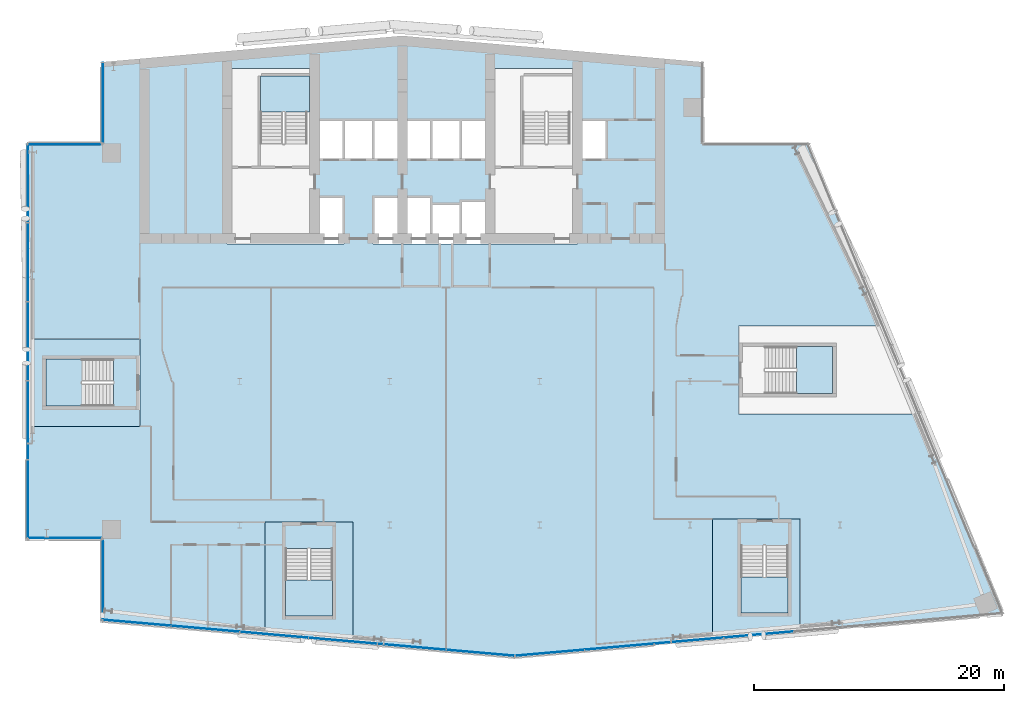
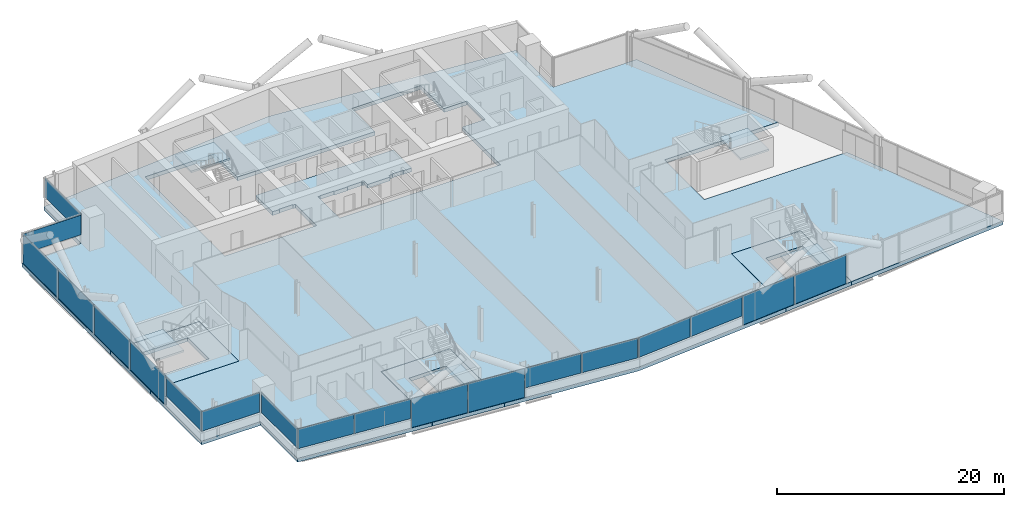
# One storey, part 13 of 26: 19 plates, 9 slabs, 12 elements without a shape of their own.
"""IFC4 building model written with IfcOpenShell, lengths in metres."""

from ifc_helpers import new_model, si_unit, direction, frame, origin, origin_2d, place, context, subcontext, project, spatial, polyline, rectangle, outline, extrude, material, layer, layer_set, type_object, element, aggregate, save


model = new_model("IFC4")

# Units and contexts
model_context = context("Model", 3, precision=1e-05, world=origin(), true_north=direction((0.0, 1.0)))
body_context = subcontext(model_context, "Body", "Model", "MODEL_VIEW")
ifc_project = project(units=[si_unit("LENGTHUNIT", "METRE"), si_unit("AREAUNIT", "SQUARE_METRE"), si_unit("VOLUMEUNIT", "CUBIC_METRE"), si_unit("PLANEANGLEUNIT", "RADIAN"), si_unit("MASSUNIT", "GRAM", prefix="KILO")], contexts=[model_context])

# Site, building, storey
site_placement = place(None, origin())
site = spatial("IfcSite", under=ifc_project, at=site_placement, CompositionType="ELEMENT")
building_placement = place(site_placement, origin())
building = spatial("IfcBuilding", under=site, at=building_placement, Name="Wharfspan Tower", CompositionType="ELEMENT")
storey_placement = place(building_placement, frame((0.0, 0.0, 184.300049)))
storey = spatial("IfcBuildingStorey", under=building, at=storey_placement, Name="L45", CompositionType="ELEMENT", Elevation=184.300049)

# Curtain wall, plates
ifc_material_1 = material(Name="Aluminium 6063-T6", Category="aluminium")
curtain_wall_type_1 = type_object("IfcCurtainWallType", Name="CURTAIN WALL FACETED FRONT", PredefinedType="NOTDEFINED", material=ifc_material_1)
curtain_wall_1_placement = place(storey_placement, origin())
curtain_wall_1 = element("IfcCurtainWall", 1, at=curtain_wall_1_placement, inside=storey, type_object=curtain_wall_type_1, Name="Curtain wall S1", PredefinedType="NOTDEFINED")
ifc_material_2 = material(Name="Glass clear low-iron double glazing", Category="glass")
ifc_layer_1 = layer(ifc_material_2, 0.040039)
ifc_layer_set_1 = layer_set([ifc_layer_1], Name="Glass clear low-iron double glazing")
plate_type_1 = type_object("IfcPlateType", Name="GLASS PANEL FACETED FRONT 40", PredefinedType="CURTAIN_PANEL", material=ifc_layer_set_1)
plate_1_placement = place(storey_placement, frame((15.770264, 3.692871, 1.0), z_axis=(0.0, 0.0, 1.0), x_axis=(0.996198, -0.087156, 0.0)))
plate_1 = element("IfcPlate", 2, at=plate_1_placement, type_object=plate_type_1, Name="Curtain wall S1 panel 1", PredefinedType="CURTAIN_PANEL", context=body_context, shape_type="SweptSolid", body=[
    extrude(rectangle(XDim=5.430908, YDim=0.040039, at=origin_2d()), origin(), (0.0, 0.0, 1.0), 2.120117),
])
plate_2_placement = place(storey_placement, frame((21.255127, 3.213135, 1.0), z_axis=(0.0, 0.0, 1.0), x_axis=(0.996198, -0.087156, 0.0)))
plate_2 = element("IfcPlate", 3, at=plate_2_placement, type_object=plate_type_1, Name="Curtain wall S1 panel 2", PredefinedType="CURTAIN_PANEL", context=body_context, shape_type="SweptSolid", body=[
    extrude(rectangle(XDim=5.460938, YDim=0.040039, at=origin_2d()), origin(), (0.0, 0.0, 1.0), 2.120117),
])
plate_3_placement = place(storey_placement, frame((37.755127, 1.769531, 1.0), z_axis=(0.0, 0.0, 1.0), x_axis=(0.996198, -0.087156, 0.0)))
plate_3 = element("IfcPlate", 4, at=plate_3_placement, type_object=plate_type_1, Name="Curtain wall S1 panel 5", PredefinedType="CURTAIN_PANEL", context=body_context, shape_type="SweptSolid", body=[
    extrude(rectangle(XDim=5.460938, YDim=0.040039, at=origin_2d()), origin(), (0.0, 0.0, 1.0), 2.120117),
])
plate_4_placement = place(storey_placement, frame((43.240234, 1.289551, 1.0), z_axis=(0.0, 0.0, 1.0), x_axis=(0.996198, -0.087156, 0.0)))
plate_4 = element("IfcPlate", 5, at=plate_4_placement, type_object=plate_type_1, Name="Curtain wall S1 panel 6", PredefinedType="CURTAIN_PANEL", context=body_context, shape_type="SweptSolid", body=[
    extrude(rectangle(XDim=5.430908, YDim=0.040039, at=origin_2d()), origin(), (0.0, 0.0, 1.0), 2.120117),
])

curtain_wall_2_placement = place(storey_placement, origin())
curtain_wall_2 = element("IfcCurtainWall", 6, at=curtain_wall_2_placement, inside=storey, type_object=curtain_wall_type_1, Name="Curtain wall S2", PredefinedType="NOTDEFINED")
plate_5_placement = place(storey_placement, frame((48.79541, 1.292725, 1.0), z_axis=(0.0, 0.0, 1.0), x_axis=(0.996198, 0.087156, 0.0)))
plate_5 = element("IfcPlate", 7, at=plate_5_placement, type_object=plate_type_1, Name="Curtain wall S2 panel 1", PredefinedType="CURTAIN_PANEL", context=body_context, shape_type="SweptSolid", body=[
    extrude(rectangle(XDim=5.502686, YDim=0.040039, at=origin_2d()), origin(), (0.0, 0.0, 1.0), 2.120117),
])
plate_6_placement = place(storey_placement, frame((54.351807, 1.778809, 1.0), z_axis=(0.0, 0.0, 1.0), x_axis=(0.996198, 0.087156, 0.0)))
plate_6 = element("IfcPlate", 8, at=plate_6_placement, type_object=plate_type_1, Name="Curtain wall S2 panel 2", PredefinedType="CURTAIN_PANEL", context=body_context, shape_type="SweptSolid", body=[
    extrude(rectangle(XDim=5.532715, YDim=0.040039, at=origin_2d()), origin(), (0.0, 0.0, 1.0), 2.120117),
])

# Curtain wall, plate
curtain_wall_type_2 = type_object("IfcCurtainWallType", Name="CURTAIN WALL PROW AND END", PredefinedType="NOTDEFINED", material=ifc_material_1)
curtain_wall_3_placement = place(storey_placement, origin())
curtain_wall_3 = element("IfcCurtainWall", 9, at=curtain_wall_3_placement, inside=storey, type_object=curtain_wall_type_2, Name="Curtain wall NRW-V", PredefinedType="NOTDEFINED")
ifc_layer_2 = layer(ifc_material_2, 0.040039)
ifc_layer_set_2 = layer_set([ifc_layer_2], Name="Glass clear low-iron double glazing")
plate_type_2 = type_object("IfcPlateType", Name="GLASS PANEL PROW AND END 40", PredefinedType="CURTAIN_PANEL", material=ifc_layer_set_2)
plate_7_placement = place(storey_placement, frame((13.080078, 45.262451, 1.0), z_axis=(0.0, 0.0, 1.0), x_axis=(0.0, -1.0, 0.0)))
plate_7 = element("IfcPlate", 10, at=plate_7_placement, type_object=plate_type_2, Name="Curtain wall NRW-V panel 1", PredefinedType="CURTAIN_PANEL", context=body_context, shape_type="SweptSolid", body=[
    extrude(rectangle(XDim=6.405029, YDim=0.040039, at=origin_2d()), origin(), (0.0, 0.0, 1.0), 2.120117),
])
aggregate(curtain_wall_3, [plate_7])

curtain_wall_4_placement = place(storey_placement, origin())
curtain_wall_4 = element("IfcCurtainWall", 11, at=curtain_wall_4_placement, inside=storey, type_object=curtain_wall_type_2, Name="Curtain wall NRW-H", PredefinedType="NOTDEFINED")
plate_8_placement = place(storey_placement, frame((10.0, 41.919922, 1.0), z_axis=(0.0, 0.0, 1.0), x_axis=(-1.0, 0.0, 0.0)))
plate_8 = element("IfcPlate", 12, at=plate_8_placement, type_object=plate_type_2, Name="Curtain wall NRW-H panel 1", PredefinedType="CURTAIN_PANEL", context=body_context, shape_type="SweptSolid", body=[
    extrude(rectangle(XDim=5.879883, YDim=0.040039, at=origin_2d()), origin(), (0.0, 0.0, 1.0), 2.120117),
])
aggregate(curtain_wall_4, [plate_8])

curtain_wall_5_placement = place(storey_placement, origin())
curtain_wall_5 = element("IfcCurtainWall", 13, at=curtain_wall_5_placement, inside=storey, type_object=curtain_wall_type_2, Name="Curtain wall W", PredefinedType="NOTDEFINED")
plate_9_placement = place(storey_placement, frame((7.080078, 13.574951, 1.0), z_axis=(0.0, 0.0, 1.0), x_axis=(0.0, -1.0, 0.0)))
plate_9 = element("IfcPlate", 14, at=plate_9_placement, type_object=plate_type_2, Name="Curtain wall W panel 5", PredefinedType="CURTAIN_PANEL", context=body_context, shape_type="SweptSolid", body=[
    extrude(rectangle(XDim=6.22998, YDim=0.040039, at=origin_2d()), origin(), (0.0, 0.0, 1.0), 2.120117),
])

curtain_wall_6_placement = place(storey_placement, origin())
curtain_wall_6 = element("IfcCurtainWall", 15, at=curtain_wall_6_placement, inside=storey, type_object=curtain_wall_type_2, Name="Curtain wall NFW-H", PredefinedType="NOTDEFINED")
plate_10_placement = place(storey_placement, frame((10.0, 10.47998, 1.0), z_axis=(0.0, 0.0, 1.0), x_axis=(1.0, 0.0, 0.0)))
plate_10 = element("IfcPlate", 16, at=plate_10_placement, type_object=plate_type_2, Name="Curtain wall NFW-H panel 1", PredefinedType="CURTAIN_PANEL", context=body_context, shape_type="SweptSolid", body=[
    extrude(rectangle(XDim=5.879883, YDim=0.040039, at=origin_2d()), origin(), (0.0, 0.0, 1.0), 2.120117),
])
aggregate(curtain_wall_6, [plate_10])

curtain_wall_7_placement = place(storey_placement, origin())
curtain_wall_7 = element("IfcCurtainWall", 17, at=curtain_wall_7_placement, inside=storey, type_object=curtain_wall_type_2, Name="Curtain wall NFW-V", PredefinedType="NOTDEFINED")
plate_11_placement = place(storey_placement, frame((13.080078, 7.137451, 1.0), z_axis=(0.0, 0.0, 1.0), x_axis=(0.0, -1.0, 0.0)))
plate_11 = element("IfcPlate", 18, at=plate_11_placement, type_object=plate_type_2, Name="Curtain wall NFW-V panel 1", PredefinedType="CURTAIN_PANEL", context=body_context, shape_type="SweptSolid", body=[
    extrude(rectangle(XDim=6.405029, YDim=0.040039, at=origin_2d()), origin(), (0.0, 0.0, 1.0), 2.120117),
])
aggregate(curtain_wall_7, [plate_11])

# Plate
ifc_material_3 = material(Name="Aluminium composite opaque insulated panel", Category="aluminium")
ifc_layer_3 = layer(ifc_material_3, 0.040039)
ifc_layer_set_3 = layer_set([ifc_layer_3], Name="Aluminium composite opaque insulated panel")
plate_type_3 = type_object("IfcPlateType", Name="INFILL PANEL FACETED FRONT OPAQUE 40", PredefinedType="SHEET", material=ifc_layer_set_3)
plate_12_placement = place(storey_placement, frame((26.755127, 2.731934, 0.0), z_axis=(0.0, 0.0, 1.0), x_axis=(0.996198, -0.087156, 0.0)))
plate_12 = element("IfcPlate", 19, at=plate_12_placement, type_object=plate_type_3, Name="Curtain wall S1 panel 3", PredefinedType="SHEET", context=body_context, shape_type="SweptSolid", body=[
    extrude(rectangle(XDim=5.460938, YDim=0.040039, at=origin_2d()), origin(), (0.0, 0.0, 1.0), 3.120117),
])

plate_13_placement = place(storey_placement, frame((32.255127, 2.250732, 0.0), z_axis=(0.0, 0.0, 1.0), x_axis=(0.996198, -0.087156, 0.0)))
plate_13 = element("IfcPlate", 20, at=plate_13_placement, type_object=plate_type_3, Name="Curtain wall S1 panel 4", PredefinedType="SHEET", context=body_context, shape_type="SweptSolid", body=[
    extrude(rectangle(XDim=5.460938, YDim=0.040039, at=origin_2d()), origin(), (0.0, 0.0, 1.0), 3.120117),
])

aggregate(curtain_wall_1, [plate_1, plate_2, plate_12, plate_13, plate_3, plate_4])

plate_14_placement = place(storey_placement, frame((59.92334, 2.266357, 0.0), z_axis=(0.0, 0.0, 1.0), x_axis=(0.996198, 0.087156, 0.0)))
plate_14 = element("IfcPlate", 21, at=plate_14_placement, type_object=plate_type_3, Name="Curtain wall S2 panel 3", PredefinedType="SHEET", context=body_context, shape_type="SweptSolid", body=[
    extrude(rectangle(XDim=5.532715, YDim=0.040039, at=origin_2d()), origin(), (0.0, 0.0, 1.0), 3.120117),
])

plate_15_placement = place(storey_placement, frame((65.494873, 2.753662, 0.0), z_axis=(0.0, 0.0, 1.0), x_axis=(0.996198, 0.087156, 0.0)))
plate_15 = element("IfcPlate", 22, at=plate_15_placement, type_object=plate_type_3, Name="Curtain wall S2 panel 4", PredefinedType="SHEET", context=body_context, shape_type="SweptSolid", body=[
    extrude(rectangle(XDim=5.532715, YDim=0.040039, at=origin_2d()), origin(), (0.0, 0.0, 1.0), 3.120117),
])

aggregate(curtain_wall_2, [plate_5, plate_6, plate_14, plate_15])

ifc_layer_4 = layer(ifc_material_3, 0.040039)
ifc_layer_set_4 = layer_set([ifc_layer_4], Name="Aluminium composite opaque insulated panel")
plate_type_4 = type_object("IfcPlateType", Name="INFILL PANEL PROW AND END OPAQUE 40", PredefinedType="SHEET", material=ifc_layer_set_4)
plate_16_placement = place(storey_placement, frame((7.080078, 38.824951, 0.0), z_axis=(0.0, 0.0, 1.0), x_axis=(0.0, -1.0, 0.0)))
plate_16 = element("IfcPlate", 23, at=plate_16_placement, type_object=plate_type_4, Name="Curtain wall W panel 1", PredefinedType="SHEET", context=body_context, shape_type="SweptSolid", body=[
    extrude(rectangle(XDim=6.22998, YDim=0.040039, at=origin_2d()), origin(), (0.0, 0.0, 1.0), 3.120117),
])

plate_17_placement = place(storey_placement, frame((7.080078, 32.52002, 0.0), z_axis=(0.0, 0.0, 1.0), x_axis=(0.0, -1.0, 0.0)))
plate_17 = element("IfcPlate", 24, at=plate_17_placement, type_object=plate_type_4, Name="Curtain wall W panel 2", PredefinedType="SHEET", context=body_context, shape_type="SweptSolid", body=[
    extrude(rectangle(XDim=6.26001, YDim=0.040039, at=origin_2d()), origin(), (0.0, 0.0, 1.0), 3.120117),
])

plate_18_placement = place(storey_placement, frame((7.080078, 26.199951, 0.0), z_axis=(0.0, 0.0, 1.0), x_axis=(0.0, -1.0, 0.0)))
plate_18 = element("IfcPlate", 25, at=plate_18_placement, type_object=plate_type_4, Name="Curtain wall W panel 3", PredefinedType="SHEET", context=body_context, shape_type="SweptSolid", body=[
    extrude(rectangle(XDim=6.26001, YDim=0.040039, at=origin_2d()), origin(), (0.0, 0.0, 1.0), 3.120117),
])

plate_19_placement = place(storey_placement, frame((7.080078, 19.879883, 0.0), z_axis=(0.0, 0.0, 1.0), x_axis=(0.0, -1.0, 0.0)))
plate_19 = element("IfcPlate", 26, at=plate_19_placement, type_object=plate_type_4, Name="Curtain wall W panel 4", PredefinedType="SHEET", context=body_context, shape_type="SweptSolid", body=[
    extrude(rectangle(XDim=6.26001, YDim=0.040039, at=origin_2d()), origin(), (0.0, 0.0, 1.0), 3.120117),
])

aggregate(curtain_wall_5, [plate_16, plate_17, plate_18, plate_19, plate_9])

# Slabs
ifc_material_4 = material(Name="Concrete C40/50", Category="concrete")
ifc_layer_5 = layer(ifc_material_4, 0.399902)
ifc_layer_set_5 = layer_set([ifc_layer_5], Name="Concrete C40/50")
slab_type_1 = type_object("IfcSlabType", Name="Post-tensioned flat slab 400", PredefinedType="FLOOR", material=ifc_layer_set_5)
slab_1_placement = place(storey_placement, frame((0.0, 0.0, -0.400146)))
element("IfcSlab", 27, at=slab_1_placement, inside=storey, type_object=slab_type_1, Name="Floor slab L45", PredefinedType="FLOOR", context=body_context, shape_type="SweptSolid", body=[
    extrude(outline(polyline([(26.029297, 2.735107), (26.029297, 11.744385), (33.049316, 11.744385), (33.049316, 2.121094), (46.0, 0.987793), (61.801514, 2.370361), (61.801514, 11.993652), (68.821289, 11.993652), (68.821289, 2.984619), (85.0, 4.399902), (78.398682, 20.389893), (63.894531, 20.389893), (63.894531, 27.409912), (75.500488, 27.409912), (69.477051, 42.0), (61.0, 42.0), (61.0, 48.524902), (37.0, 50.624756), (13.0, 48.524902), (13.0, 42.0), (7.0, 42.0), (7.0, 26.409912), (16.01001, 26.409912), (16.01001, 19.389893), (7.0, 19.389893), (7.0, 10.399902), (13.0, 10.399902), (13.0, 3.875), (26.029297, 2.735107)]), holes=[polyline([(32.126709, 37.76001), (32.343262, 37.76001), (32.343262, 33.98999), (22.98999, 33.98999), (22.98999, 48.01001), (30.01001, 48.01001), (30.01001, 43.909912), (43.98999, 43.909912), (43.98999, 48.01001), (51.01001, 48.01001), (51.01001, 43.909912), (53.343262, 43.909912), (53.343262, 40.689941), (51.01001, 40.689941), (51.01001, 33.98999), (34.656738, 33.98999), (34.656738, 37.76001), (34.873291, 37.76001), (34.873291, 37.810059), (36.293213, 37.810059), (36.293213, 37.76001), (37.666748, 37.76001), (37.666748, 37.810059), (39.166748, 37.810059), (39.166748, 37.76001), (39.343262, 37.76001), (39.343262, 37.209961), (41.656738, 37.209961), (41.656738, 37.459961), (42.023193, 37.459961), (42.023193, 37.51001), (43.143311, 37.51001), (43.143311, 37.459961), (43.98999, 37.459961), (43.98999, 40.689941), (30.01001, 40.689941), (30.01001, 37.76001), (30.706787, 37.76001), (30.706787, 37.810059), (32.126709, 37.810059), (32.126709, 37.76001)])]), origin(), (0.0, 0.0, 1.0), 0.400146),
])
slab_2_placement = place(storey_placement, frame((0.0, 0.0, -0.400146)))
element("IfcSlab", 28, at=slab_2_placement, inside=storey, type_object=slab_type_1, Name="Core floor slab L45 part 1", PredefinedType="FLOOR", context=body_context, shape_type="SweptSolid", body=[
    extrude(outline(polyline([(16.0, 20.725098), (16.0, 25.074951), (16.0, 26.399902), (7.0, 26.399902), (7.0, 19.399902), (16.0, 19.399902), (16.0, 20.725098)]), holes=[polyline([(13.899902, 24.7771), (13.900146, 24.7771), (13.900391, 24.7771), (13.900635, 24.776855), (13.900879, 24.776855), (13.900879, 24.776855), (13.901123, 24.776611), (13.901367, 24.776611), (13.901367, 24.776367), (13.901611, 24.776367), (13.901611, 24.776123), (13.901855, 24.775879), (13.901855, 24.775879), (13.901855, 24.775635), (13.9021, 24.775391), (13.9021, 24.775146), (13.9021, 24.774902), (13.9021, 21.024902), (13.9021, 21.024902), (13.9021, 21.024658), (13.901855, 21.024414), (13.901855, 21.02417), (13.901855, 21.02417), (13.901611, 21.023926), (13.901611, 21.023682), (13.901367, 21.023682), (13.901367, 21.023438), (13.901123, 21.023193), (13.900879, 21.023193), (13.900879, 21.023193), (13.900635, 21.023193), (13.900391, 21.022949), (13.900146, 21.022949), (13.899902, 21.022949), (8.5, 21.022949), (8.499756, 21.022949), (8.499512, 21.022949), (8.499512, 21.023193), (8.499268, 21.023193), (8.499023, 21.023193), (8.498779, 21.023193), (8.498779, 21.023438), (8.498535, 21.023682), (8.498535, 21.023682), (8.498291, 21.023926), (8.498291, 21.02417), (8.498291, 21.02417), (8.498047, 21.024414), (8.498047, 21.024658), (8.498047, 21.024902), (8.498047, 21.024902), (8.498047, 24.774902), (8.498047, 24.775146), (8.498047, 24.775391), (8.498047, 24.775635), (8.498291, 24.775879), (8.498291, 24.775879), (8.498291, 24.776123), (8.498535, 24.776367), (8.498535, 24.776367), (8.498779, 24.776611), (8.498779, 24.776611), (8.499023, 24.776855), (8.499268, 24.776855), (8.499512, 24.776855), (8.499512, 24.7771), (8.499756, 24.7771), (8.5, 24.7771), (13.899902, 24.7771)])]), origin(), (0.0, 0.0, 1.0), 0.400146),
])
slab_3_placement = place(storey_placement, frame((0.0, 0.0, -0.400146)))
element("IfcSlab", 29, at=slab_3_placement, inside=storey, type_object=slab_type_1, Name="Core floor slab L45 part 2", PredefinedType="FLOOR", context=body_context, shape_type="SweptSolid", body=[
    extrude(outline(polyline([(31.714111, 11.734375), (27.364258, 11.734375), (26.039307, 11.734375), (26.039307, 2.734375), (33.039307, 2.121826), (33.039307, 11.734375), (31.714111, 11.734375)]), holes=[polyline([(27.662109, 9.634277), (27.662109, 9.634521), (27.662354, 9.634766), (27.662354, 9.63501), (27.662354, 9.63501), (27.662598, 9.635254), (27.662598, 9.635498), (27.662598, 9.635498), (27.662842, 9.635742), (27.663086, 9.635742), (27.663086, 9.635986), (27.66333, 9.635986), (27.663574, 9.635986), (27.663574, 9.63623), (27.663818, 9.63623), (27.664062, 9.63623), (27.664307, 9.63623), (31.414307, 9.63623), (31.414307, 9.63623), (31.414551, 9.63623), (31.414795, 9.63623), (31.415039, 9.635986), (31.415283, 9.635986), (31.415283, 9.635986), (31.415527, 9.635742), (31.415527, 9.635742), (31.415771, 9.635498), (31.416016, 9.635498), (31.416016, 9.635254), (31.416016, 9.63501), (31.416016, 9.63501), (31.41626, 9.634766), (31.41626, 9.634521), (31.41626, 9.634277), (31.41626, 4.234375), (31.41626, 4.234131), (31.41626, 4.233887), (31.416016, 4.233643), (31.416016, 4.233398), (31.416016, 4.233398), (31.416016, 4.233154), (31.415771, 4.23291), (31.415527, 4.23291), (31.415527, 4.232666), (31.415283, 4.232666), (31.415283, 4.232422), (31.415039, 4.232422), (31.414795, 4.232422), (31.414551, 4.232422), (31.414307, 4.232422), (31.414307, 4.232422), (27.664307, 4.232422), (27.664062, 4.232422), (27.663818, 4.232422), (27.663574, 4.232422), (27.663574, 4.232422), (27.66333, 4.232422), (27.663086, 4.232666), (27.663086, 4.232666), (27.662842, 4.23291), (27.662598, 4.23291), (27.662598, 4.233154), (27.662598, 4.233398), (27.662354, 4.233398), (27.662354, 4.233643), (27.662354, 4.233887), (27.662109, 4.234131), (27.662109, 4.234375), (27.662109, 9.634277)])]), origin(), (0.0, 0.0, 1.0), 0.400146),
])
slab_4_placement = place(storey_placement, frame((0.0, 0.0, -0.400146)))
element("IfcSlab", 30, at=slab_4_placement, inside=storey, type_object=slab_type_1, Name="Core floor slab L45 part 4", PredefinedType="FLOOR", context=body_context, shape_type="SweptSolid", body=[
    extrude(outline(polyline([(68.811279, 11.983643), (68.136475, 11.983643), (63.786377, 11.983643), (61.811279, 11.983643), (61.811279, 2.371338), (68.811279, 2.983643), (68.811279, 11.983643)]), holes=[polyline([(64.084473, 9.883789), (64.084473, 9.883789), (64.084473, 9.884033), (64.084473, 9.884277), (64.084473, 9.884521), (64.084717, 9.884521), (64.084717, 9.884766), (64.084717, 9.88501), (64.084961, 9.88501), (64.085205, 9.885254), (64.085205, 9.885254), (64.085449, 9.885498), (64.085693, 9.885498), (64.085693, 9.885498), (64.085938, 9.885498), (64.086182, 9.885742), (64.086426, 9.885742), (67.836426, 9.885742), (67.836426, 9.885742), (67.83667, 9.885498), (67.836914, 9.885498), (67.837158, 9.885498), (67.837402, 9.885498), (67.837402, 9.885254), (67.837646, 9.885254), (67.837891, 9.88501), (67.837891, 9.88501), (67.837891, 9.884766), (67.838135, 9.884521), (67.838135, 9.884521), (67.838379, 9.884277), (67.838379, 9.884033), (67.838379, 9.883789), (67.838379, 9.883789), (67.838379, 4.483643), (67.838379, 4.483398), (67.838379, 4.483398), (67.838379, 4.483154), (67.838135, 4.48291), (67.838135, 4.482666), (67.837891, 4.482666), (67.837891, 4.482422), (67.837891, 4.482422), (67.837646, 4.482178), (67.837402, 4.481934), (67.837402, 4.481934), (67.837158, 4.481689), (67.836914, 4.481689), (67.83667, 4.481689), (67.836426, 4.481689), (67.836426, 4.481689), (64.086426, 4.481689), (64.086182, 4.481689), (64.085938, 4.481689), (64.085693, 4.481689), (64.085693, 4.481689), (64.085449, 4.481934), (64.085205, 4.481934), (64.085205, 4.482178), (64.084961, 4.482422), (64.084717, 4.482422), (64.084717, 4.482666), (64.084717, 4.482666), (64.084473, 4.48291), (64.084473, 4.483154), (64.084473, 4.483398), (64.084473, 4.483398), (64.084473, 4.483643), (64.084473, 9.883789)])]), origin(), (0.0, 0.0, 1.0), 0.400146),
])

# Stair, slab
stair_type = type_object("IfcStairType", Name="Half-turn stair 20 risers 180 mm", PredefinedType="HALF_TURN_STAIR", material=ifc_material_4)
stair_1_placement = place(storey_placement, origin())
stair_1 = element("IfcStair", 31, at=stair_1_placement, inside=storey, type_object=stair_type, Name="L45 stair ST1", PredefinedType="HALF_TURN_STAIR")
ifc_layer_6 = layer(ifc_material_4, 0.199951)
ifc_layer_set_6 = layer_set([ifc_layer_6], Name="Concrete C40/50")
slab_type_2 = type_object("IfcSlabType", Name="Stair landing 200", PredefinedType="LANDING", material=ifc_layer_set_6)
slab_5_placement = place(storey_placement, frame((0.0, 0.0, 1.599854)))
slab_5 = element("IfcSlab", 32, at=slab_5_placement, type_object=slab_type_2, Name="ST1 landing 1", PredefinedType="LANDING", context=body_context, shape_type="SweptSolid", body=[
    extrude(outline(polyline([(25.649902, 44.52002), (29.600098, 44.52002), (29.600098, 47.399902), (25.649902, 47.399902), (25.649902, 44.52002)])), origin(), (0.0, 0.0, 1.0), 0.200195),
])
aggregate(stair_1, [slab_5])

stair_2_placement = place(storey_placement, origin())
stair_2 = element("IfcStair", 33, at=stair_2_placement, inside=storey, type_object=stair_type, Name="L45 stair ST3", PredefinedType="HALF_TURN_STAIR")
slab_6_placement = place(storey_placement, frame((0.0, 0.0, 1.599854)))
slab_6 = element("IfcSlab", 34, at=slab_6_placement, type_object=slab_type_2, Name="ST3 landing 1", PredefinedType="LANDING", context=body_context, shape_type="SweptSolid", body=[
    extrude(outline(polyline([(11.379883, 24.774902), (8.5, 24.774902), (8.5, 21.024902), (11.379883, 21.024902), (11.379883, 24.774902)])), origin(), (0.0, 0.0, 1.0), 0.200195),
])
aggregate(stair_2, [slab_6])

stair_3_placement = place(storey_placement, origin())
stair_3 = element("IfcStair", 35, at=stair_3_placement, inside=storey, type_object=stair_type, Name="L45 stair ST4", PredefinedType="HALF_TURN_STAIR")
slab_7_placement = place(storey_placement, frame((0.0, 0.0, 1.599854)))
slab_7 = element("IfcSlab", 36, at=slab_7_placement, type_object=slab_type_2, Name="ST4 landing 1", PredefinedType="LANDING", context=body_context, shape_type="SweptSolid", body=[
    extrude(outline(polyline([(27.664307, 7.114258), (27.664307, 4.234375), (31.414307, 4.234375), (31.414307, 7.114258), (27.664307, 7.114258)])), origin(), (0.0, 0.0, 1.0), 0.200195),
])
aggregate(stair_3, [slab_7])

stair_4_placement = place(storey_placement, origin())
stair_4 = element("IfcStair", 37, at=stair_4_placement, inside=storey, type_object=stair_type, Name="L45 stair ST5", PredefinedType="HALF_TURN_STAIR")
slab_8_placement = place(storey_placement, frame((0.0, 0.0, 1.599854)))
slab_8 = element("IfcSlab", 38, at=slab_8_placement, type_object=slab_type_2, Name="ST5 landing 1", PredefinedType="LANDING", context=body_context, shape_type="SweptSolid", body=[
    extrude(outline(polyline([(64.086426, 7.36377), (64.086426, 4.483643), (67.836426, 4.483643), (67.836426, 7.36377), (64.086426, 7.36377)])), origin(), (0.0, 0.0, 1.0), 0.200195),
])
aggregate(stair_4, [slab_8])

stair_5_placement = place(storey_placement, origin())
stair_5 = element("IfcStair", 39, at=stair_5_placement, inside=storey, type_object=stair_type, Name="L45 stair ST6", PredefinedType="HALF_TURN_STAIR")
slab_9_placement = place(storey_placement, frame((0.0, 0.0, 1.599854)))
slab_9 = element("IfcSlab", 40, at=slab_9_placement, type_object=slab_type_2, Name="ST6 landing 1", PredefinedType="LANDING", context=body_context, shape_type="SweptSolid", body=[
    extrude(outline(polyline([(68.524658, 22.024902), (71.404541, 22.024902), (71.404541, 25.774902), (68.524658, 25.774902), (68.524658, 22.024902)])), origin(), (0.0, 0.0, 1.0), 0.200195),
])
aggregate(stair_5, [slab_9])

save(model, "model.ifc")
